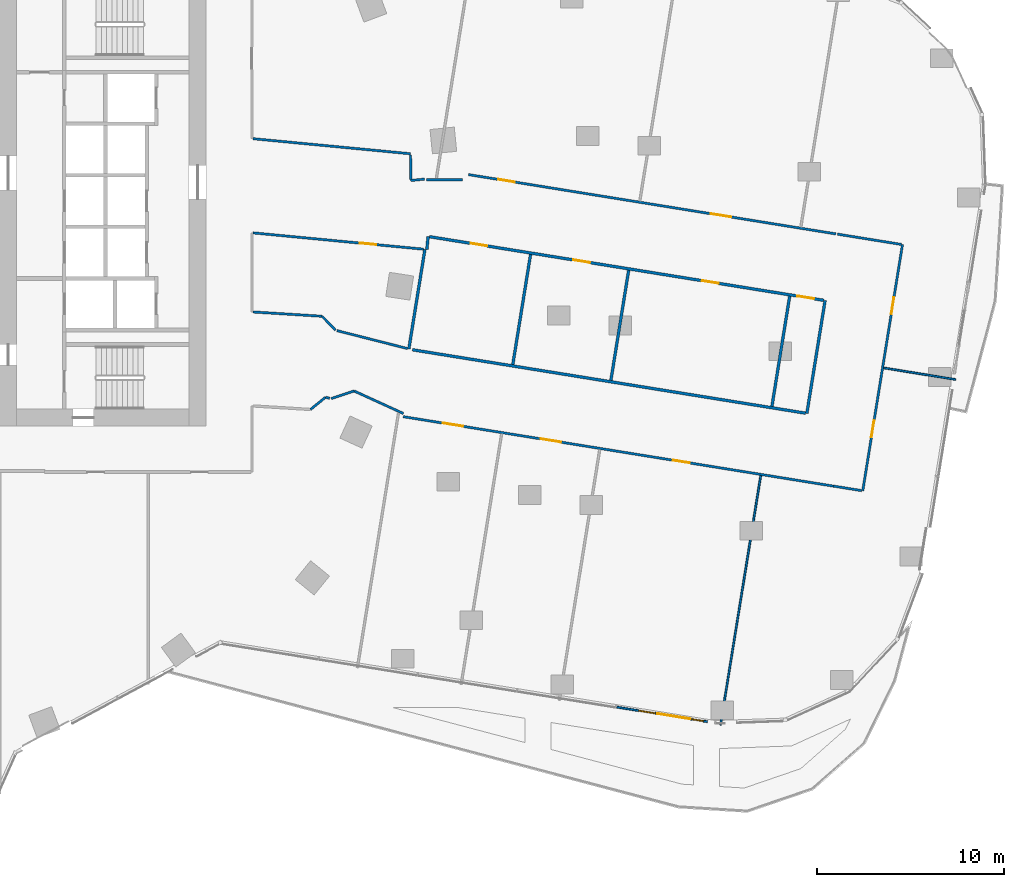
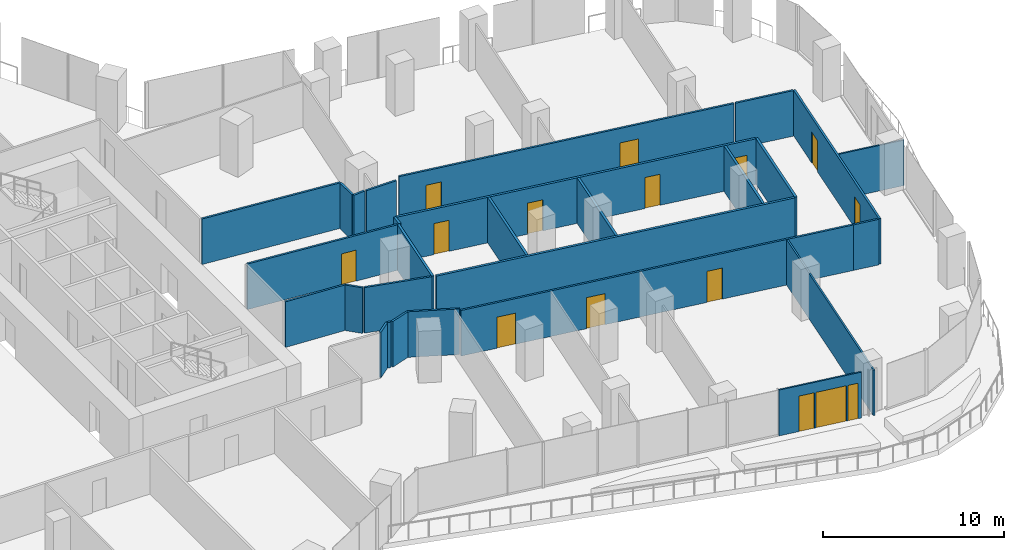
# One storey, part 25 of 32: 28 walls, 13 doors, 2 windows, 15 openings.
"""IFC4 building model written with IfcOpenShell, lengths in metres."""

from ifc_helpers import new_model, si_unit, direction, frame, frame_2d, origin, place, context, subcontext, project, spatial, rectangle, extrude, material, layer, layer_set, type_object, element, fill, save


model = new_model("IFC4")

# Units and contexts
model_context = context("Model", 3, precision=1e-05, world=origin(), true_north=direction((0.0, 1.0)))
body_context = subcontext(model_context, "Body", "Model", "MODEL_VIEW")
ifc_project = project(units=[si_unit("LENGTHUNIT", "METRE"), si_unit("AREAUNIT", "SQUARE_METRE"), si_unit("VOLUMEUNIT", "CUBIC_METRE"), si_unit("PLANEANGLEUNIT", "RADIAN"), si_unit("MASSUNIT", "GRAM", prefix="KILO")], contexts=[model_context])

# Site, building, storey
site_placement = place(None, origin())
site = spatial("IfcSite", under=ifc_project, at=site_placement, CompositionType="ELEMENT")
building_placement = place(site_placement, origin())
building = spatial("IfcBuilding", under=site, at=building_placement, Name="Orlundy Tower", CompositionType="ELEMENT")
storey_placement = place(building_placement, frame((0.0, 0.0, 123.699951171875)))
storey = spatial("IfcBuildingStorey", under=building, at=storey_placement, Name="L31", CompositionType="ELEMENT", Elevation=123.699951171875)

# Walls
ifc_material_1 = material(Name="Gypsum board partition")
ifc_layer_1 = layer(ifc_material_1, 0.10009765625)
ifc_layer_set_1 = layer_set([ifc_layer_1], Name="Floor partition 100")
wall_type_1 = type_object("IfcWallType", Name="Floor partition 100", PredefinedType="PARTITIONING", material=ifc_layer_set_1)
wall_1_placement = place(storey_placement, frame((55.14892578125, -8.89990234375, 0.0), z_axis=(0.0, 0.0, 1.0), x_axis=(0.987198096363, -0.159498960929, 0.0)))
element("IfcWall", 1, at=wall_1_placement, inside=storey, type_object=wall_type_1, Name="wall-int-L31-024", PredefinedType="PARTITIONING", context=body_context, shape_type="SweptSolid", body=[
    extrude(rectangle(XDim=3.887939453125, YDim=0.10009765625, at=frame_2d((1.94384765625, 0.0))), origin(), (0.0, 0.0, 1.0), 3.080078125),
])
wall_2_placement = place(storey_placement, frame((46.43994140625, -27.950927734375, 0.0), z_axis=(0.0, 0.0, 1.0), x_axis=(0.159319546861, 0.987227067086, 0.0)))
element("IfcWall", 2, at=wall_2_placement, inside=storey, type_object=wall_type_1, Name="wall-int-L31-068", PredefinedType="PARTITIONING", context=body_context, shape_type="SweptSolid", body=[
    extrude(rectangle(XDim=13.48193359375, YDim=0.10009765625, at=frame_2d((6.740966796875, 0.0))), origin(), (0.0, 0.0, 1.0), 3.080078125),
])
ifc_material_2 = material(Name="Gypsum board partition, double layer")
ifc_layer_2 = layer(ifc_material_2, 0.125)
ifc_layer_set_2 = layer_set([ifc_layer_2], Name="Floor partition 125")
wall_type_2 = type_object("IfcWallType", Name="Floor partition 125", PredefinedType="PARTITIONING", material=ifc_layer_set_2)
wall_3_placement = place(storey_placement, frame((29.9169921875, 1.157958984375, 0.0), z_axis=(0.0, 0.0, 1.0), x_axis=(-0.006187768279, 0.999980855579, 0.0)))
element("IfcWall", 3, at=wall_3_placement, inside=storey, type_object=wall_type_2, Name="wall-int-L31-004", PredefinedType="PARTITIONING", context=body_context, shape_type="SweptSolid", body=[
    extrude(rectangle(XDim=1.302001953125, YDim=0.125, at=frame_2d((0.65087890625, 0.0))), origin(), (0.0, 0.0, 1.0), 3.080078125),
])
wall_4_placement = place(storey_placement, frame((29.527099609375, -11.3310546875, 0.0), z_axis=(0.0, 0.0, 1.0), x_axis=(-0.909663775555, 0.415345417024, 0.0)))
element("IfcWall", 4, at=wall_4_placement, inside=storey, type_object=wall_type_2, Name="wall-int-L31-007", PredefinedType="PARTITIONING", context=body_context, shape_type="SweptSolid", body=[
    extrude(rectangle(XDim=2.896728515625, YDim=0.125, at=frame_2d((1.4482421875, 0.0))), origin(), (0.0, 0.0, 1.0), 3.080078125),
])
wall_5_placement = place(storey_placement, frame((29.7451171875, -7.866943359375, 0.0), z_axis=(0.0, 0.0, 1.0), x_axis=(-0.969150714626, 0.24646884659, 0.0)))
element("IfcWall", 5, at=wall_5_placement, inside=storey, type_object=wall_type_2, Name="wall-int-L31-020", PredefinedType="PARTITIONING", context=body_context, shape_type="SweptSolid", body=[
    extrude(rectangle(XDim=3.883056640625, YDim=0.125, at=frame_2d((1.94140625, 0.0))), origin(), (0.0, 0.0, 1.0), 3.080078125),
])
wall_6_placement = place(storey_placement, frame((25.3740234375, -10.466064453125, 0.0), z_axis=(0.0, 0.0, 1.0), x_axis=(0.972897607094, -0.23123634254, 0.0)))
element("IfcWall", 6, at=wall_6_placement, inside=storey, type_object=wall_type_2, Name="wall-int-L31-021", PredefinedType="PARTITIONING", context=body_context, shape_type="SweptSolid", body=[
    extrude(rectangle(XDim=0.22900390625, YDim=0.125, at=frame_2d((0.114501953125, 0.0))), origin(), (0.0, 0.0, 1.0), 3.080078125),
])

# Wall, openings, doors
wall_7_placement = place(storey_placement, frame((52.45703125, -15.2041015625, 0.0), z_axis=(0.0, 0.0, 1.0), x_axis=(-0.987211158264, 0.159418094953, 0.0)))
wall_7 = element("IfcWall", 7, at=wall_7_placement, inside=storey, type_object=wall_type_2, Name="wall-int-L31-022", PredefinedType="PARTITIONING", context=body_context, shape_type="SweptSolid", body=[
    extrude(rectangle(XDim=23.235107421875, YDim=0.125, at=frame_2d((11.61767578125, 0.0))), origin(), (0.0, 0.0, 1.0), 3.080078125),
])
opening_1_placement = place(wall_7_placement, frame((20.008544921875, 0.0, 0.0)))
opening_1 = element("IfcOpeningElement", 8, at=opening_1_placement, cuts=wall_7, Name="Opening 24108", PredefinedType="OPENING", context=body_context, shape_type="SweptSolid", body=[
    extrude(rectangle(XDim=1.10009765625, YDim=2.10009765625, at=frame_2d((0.550048828125, 1.050048828125))), frame((0.0, 0.072509765625, 0.0), z_axis=(0.0, -1.0, 0.0), x_axis=(1.0, 0.0, 0.0)), (0.0, 0.0, 1.0), 0.14501953125),
])
opening_2_placement = place(wall_7_placement, frame((14.708984375, 0.0, 0.0)))
opening_2 = element("IfcOpeningElement", 9, at=opening_2_placement, cuts=wall_7, Name="Opening 24109", PredefinedType="OPENING", context=body_context, shape_type="SweptSolid", body=[
    extrude(rectangle(XDim=1.10009765625, YDim=2.10009765625, at=frame_2d((0.550048828125, 1.050048828125))), frame((0.0, 0.072509765625, 0.0), z_axis=(0.0, -1.0, 0.0), x_axis=(1.0, 0.0, 0.0)), (0.0, 0.0, 1.0), 0.14501953125),
])
opening_3_placement = place(wall_7_placement, frame((7.7587890625, 0.0, 0.0)))
opening_3 = element("IfcOpeningElement", 10, at=opening_3_placement, cuts=wall_7, Name="Opening 24110", PredefinedType="OPENING", context=body_context, shape_type="SweptSolid", body=[
    extrude(rectangle(XDim=0.89990234375, YDim=2.10009765625, at=frame_2d((0.449951171875, 1.050048828125))), frame((0.0, 0.072509765625, 0.0), z_axis=(0.0, -1.0, 0.0), x_axis=(1.0, 0.0, 0.0)), (0.0, 0.0, 1.0), 0.14501953125),
])
ifc_material_3 = material(Name="Timber door leaf", Category="wood")
door_type_1 = type_object("IfcDoorType", Name="Floor door single 900 FD30S", OperationType="NOTDEFINED", PredefinedType="DOOR", material=ifc_material_3)
door_1_placement = place(opening_3_placement, origin())
door_1 = element("IfcDoor", 11, at=door_1_placement, inside=storey, type_object=door_type_1, Name="Door 24110", OperationType="SINGLE_SWING_LEFT", OverallHeight=2.10009765625, OverallWidth=0.89990234375, PredefinedType="DOOR", context=body_context, shape_type="SweptSolid", body=[
    extrude(rectangle(XDim=0.89990234375, YDim=2.10009765625, at=frame_2d((0.449951171875, 1.050048828125))), frame((0.0, 0.02490234375, 0.0), z_axis=(0.0, -1.0, 0.0), x_axis=(1.0, 0.0, 0.0)), (0.0, 0.0, 1.0), 0.050048828125),
])
fill(opening_3, door_1)
ifc_material_4 = material(Name="Timber door leaf", Category="wood")
door_type_2 = type_object("IfcDoorType", Name="Floor door xwide 1100 FD30S", OperationType="NOTDEFINED", PredefinedType="DOOR", material=ifc_material_4)
door_2_placement = place(opening_1_placement, origin())
door_2 = element("IfcDoor", 12, at=door_2_placement, inside=storey, type_object=door_type_2, Name="Door 24108", OperationType="SINGLE_SWING_RIGHT", OverallHeight=2.10009765625, OverallWidth=1.10009765625, PredefinedType="DOOR", context=body_context, shape_type="SweptSolid", body=[
    extrude(rectangle(XDim=1.10009765625, YDim=2.10009765625, at=frame_2d((0.550048828125, 1.050048828125))), frame((0.0, 0.02490234375, 0.0), z_axis=(0.0, -1.0, 0.0), x_axis=(1.0, 0.0, 0.0)), (0.0, 0.0, 1.0), 0.050048828125),
])
fill(opening_1, door_2)
door_3_placement = place(opening_2_placement, origin())
door_3 = element("IfcDoor", 13, at=door_3_placement, inside=storey, type_object=door_type_2, Name="Door 24109", OperationType="SINGLE_SWING_RIGHT", OverallHeight=2.10009765625, OverallWidth=1.10009765625, PredefinedType="DOOR", context=body_context, shape_type="SweptSolid", body=[
    extrude(rectangle(XDim=1.10009765625, YDim=2.10009765625, at=frame_2d((0.550048828125, 1.050048828125))), frame((0.0, 0.02490234375, 0.0), z_axis=(0.0, -1.0, 0.0), x_axis=(1.0, 0.0, 0.0)), (0.0, 0.0, 1.0), 0.050048828125),
])
fill(opening_2, door_3)

wall_8_placement = place(storey_placement, frame((33.0, 1.410888671875, 0.0), z_axis=(0.0, 0.0, 1.0), x_axis=(0.987218652985, -0.159371676275, 0.0)))
wall_8 = element("IfcWall", 14, at=wall_8_placement, inside=storey, type_object=wall_type_2, Name="wall-int-L31-026", PredefinedType="PARTITIONING", context=body_context, shape_type="SweptSolid", body=[
    extrude(rectangle(XDim=19.845703125, YDim=0.125, at=frame_2d((9.9228515625, 0.0))), origin(), (0.0, 0.0, 1.0), 3.080078125),
])
opening_4_placement = place(wall_8_placement, frame((1.60009765625, 0.0, 0.0)))
opening_4 = element("IfcOpeningElement", 15, at=opening_4_placement, cuts=wall_8, Name="Opening 24102", PredefinedType="OPENING", context=body_context, shape_type="SweptSolid", body=[
    extrude(rectangle(XDim=0.89990234375, YDim=2.10009765625, at=frame_2d((0.449951171875, 1.050048828125))), frame((0.0, 0.072509765625, 0.0), z_axis=(0.0, -1.0, 0.0), x_axis=(1.0, 0.0, 0.0)), (0.0, 0.0, 1.0), 0.14501953125),
])
opening_5_placement = place(wall_8_placement, frame((13.09619140625, 0.0, 0.0)))
opening_5 = element("IfcOpeningElement", 16, at=opening_5_placement, cuts=wall_8, Name="Opening 24103", PredefinedType="OPENING", context=body_context, shape_type="SweptSolid", body=[
    extrude(rectangle(XDim=1.10009765625, YDim=2.10009765625, at=frame_2d((0.550048828125, 1.050048828125))), frame((0.0, 0.072509765625, 0.0), z_axis=(0.0, -1.0, 0.0), x_axis=(1.0, 0.0, 0.0)), (0.0, 0.0, 1.0), 0.14501953125),
])
door_4_placement = place(opening_4_placement, origin())
door_4 = element("IfcDoor", 17, at=door_4_placement, inside=storey, type_object=door_type_1, Name="Door 24102", OperationType="SINGLE_SWING_LEFT", OverallHeight=2.10009765625, OverallWidth=0.89990234375, PredefinedType="DOOR", context=body_context, shape_type="SweptSolid", body=[
    extrude(rectangle(XDim=0.89990234375, YDim=2.10009765625, at=frame_2d((0.449951171875, 1.050048828125))), frame((0.0, 0.02490234375, 0.0), z_axis=(0.0, -1.0, 0.0), x_axis=(1.0, 0.0, 0.0)), (0.0, 0.0, 1.0), 0.050048828125),
])
fill(opening_4, door_4)
door_5_placement = place(opening_5_placement, origin())
door_5 = element("IfcDoor", 18, at=door_5_placement, inside=storey, type_object=door_type_2, Name="Door 24103", OperationType="SINGLE_SWING_RIGHT", OverallHeight=2.10009765625, OverallWidth=1.10009765625, PredefinedType="DOOR", context=body_context, shape_type="SweptSolid", body=[
    extrude(rectangle(XDim=1.10009765625, YDim=2.10009765625, at=frame_2d((0.550048828125, 1.050048828125))), frame((0.0, 0.02490234375, 0.0), z_axis=(0.0, -1.0, 0.0), x_axis=(1.0, 0.0, 0.0)), (0.0, 0.0, 1.0), 0.050048828125),
])
fill(opening_5, door_5)

# Walls
wall_9_placement = place(storey_placement, frame((52.68505859375, -1.764892578125, 0.0), z_axis=(0.0, 0.0, 1.0), x_axis=(0.987209106982, -0.159430797185, 0.0)))
element("IfcWall", 19, at=wall_9_placement, inside=storey, type_object=wall_type_2, Name="wall-int-L31-027", PredefinedType="PARTITIONING", context=body_context, shape_type="SweptSolid", body=[
    extrude(rectangle(XDim=3.44384765625, YDim=0.125, at=frame_2d((1.721923828125, 0.0))), origin(), (0.0, 0.0, 1.0), 3.080078125),
])
wall_10_placement = place(storey_placement, frame((52.45703125, -15.201904296875, 0.0), z_axis=(0.0, 0.0, 1.0), x_axis=(0.987264599046, -0.159086804829, 0.0)))
element("IfcWall", 20, at=wall_10_placement, inside=storey, type_object=wall_type_2, Name="wall-int-L31-028", PredefinedType="PARTITIONING", context=body_context, shape_type="SweptSolid", body=[
    extrude(rectangle(XDim=1.528564453125, YDim=0.125, at=frame_2d((0.76416015625, 0.0))), origin(), (0.0, 0.0, 1.0), 3.080078125),
])

# Wall, opening, door
wall_11_placement = place(storey_placement, frame((30.60009765625, -2.56689453125, 0.0), z_axis=(0.0, 0.0, 1.0), x_axis=(-0.995450531819, 0.095279791669, 0.0)))
wall_11 = element("IfcWall", 21, at=wall_11_placement, inside=storey, type_object=wall_type_2, Name="wall-int-L31-029", PredefinedType="PARTITIONING", context=body_context, shape_type="SweptSolid", body=[
    extrude(rectangle(XDim=9.129638671875, YDim=0.125, at=frame_2d((4.56494140625, 0.0))), origin(), (0.0, 0.0, 1.0), 3.080078125),
])
opening_6_placement = place(wall_11_placement, frame((2.52490234375, 0.0, 0.0)))
opening_6 = element("IfcOpeningElement", 22, at=opening_6_placement, cuts=wall_11, Name="Opening 24128", PredefinedType="OPENING", context=body_context, shape_type="SweptSolid", body=[
    extrude(rectangle(XDim=0.89990234375, YDim=2.10009765625, at=frame_2d((0.449951171875, 1.050048828125))), frame((0.0, 0.072509765625, 0.0), z_axis=(0.0, -1.0, 0.0), x_axis=(1.0, 0.0, 0.0)), (0.0, 0.0, 1.0), 0.14501953125),
])
door_6_placement = place(opening_6_placement, origin())
door_6 = element("IfcDoor", 23, at=door_6_placement, inside=storey, type_object=door_type_1, Name="Door 24128", OperationType="SINGLE_SWING_LEFT", OverallHeight=2.10009765625, OverallWidth=0.89990234375, PredefinedType="DOOR", context=body_context, shape_type="SweptSolid", body=[
    extrude(rectangle(XDim=0.89990234375, YDim=2.10009765625, at=frame_2d((0.449951171875, 1.050048828125))), frame((0.0, 0.02490234375, 0.0), z_axis=(0.0, -1.0, 0.0), x_axis=(1.0, 0.0, 0.0)), (0.0, 0.0, 1.0), 0.050048828125),
])
fill(opening_6, door_6)

# Walls
wall_12_placement = place(storey_placement, frame((21.511962890625, 3.325927734375, 0.0), z_axis=(0.0, 0.0, 1.0), x_axis=(0.995447869082, -0.095307606934, 0.0)))
element("IfcWall", 24, at=wall_12_placement, inside=storey, type_object=wall_type_2, Name="wall-int-L31-030", PredefinedType="PARTITIONING", context=body_context, shape_type="SweptSolid", body=[
    extrude(rectangle(XDim=8.435302734375, YDim=0.125, at=frame_2d((4.2177734375, 0.0))), origin(), (0.0, 0.0, 1.0), 3.080078125),
])
wall_13_placement = place(storey_placement, frame((21.511962890625, -5.916015625, 0.0), z_axis=(0.0, 0.0, 1.0), x_axis=(0.998068267511, -0.0621267526, 0.0)))
element("IfcWall", 25, at=wall_13_placement, inside=storey, type_object=wall_type_2, Name="wall-int-L31-032", PredefinedType="PARTITIONING", context=body_context, shape_type="SweptSolid", body=[
    extrude(rectangle(XDim=3.68603515625, YDim=0.125, at=frame_2d((1.843017578125, 0.0))), origin(), (0.0, 0.0, 1.0), 3.080078125),
])
wall_14_placement = place(storey_placement, frame((30.748046875, 1.14404296875, 0.0), z_axis=(0.0, 0.0, 1.0), x_axis=(1.0, 0.0, 0.0)))
element("IfcWall", 26, at=wall_14_placement, inside=storey, type_object=wall_type_2, Name="wall-int-L31-042", PredefinedType="PARTITIONING", context=body_context, shape_type="SweptSolid", body=[
    extrude(rectangle(XDim=1.9189453125, YDim=0.125, at=frame_2d((0.95947265625, 0.0))), origin(), (0.0, 0.0, 1.0), 3.080078125),
])
wall_15_placement = place(storey_placement, frame((29.9169921875, 1.095947265625, 0.0), z_axis=(0.0, 0.0, 1.0), x_axis=(0.994811579601, 0.101734561938, 0.0)))
element("IfcWall", 27, at=wall_15_placement, inside=storey, type_object=wall_type_2, Name="wall-int-L31-051", PredefinedType="PARTITIONING", context=body_context, shape_type="SweptSolid", body=[
    extrude(rectangle(XDim=0.73681640625, YDim=0.125, at=frame_2d((0.368408203125, 0.0))), origin(), (0.0, 0.0, 1.0), 3.080078125),
])
wall_16_placement = place(storey_placement, frame((25.672119140625, -10.535888671875, 0.0), z_axis=(0.0, 0.0, 1.0), x_axis=(0.948379197111, 0.317138610841, 0.0)))
element("IfcWall", 28, at=wall_16_placement, inside=storey, type_object=wall_type_2, Name="wall-int-L31-053", PredefinedType="PARTITIONING", context=body_context, shape_type="SweptSolid", body=[
    extrude(rectangle(XDim=1.286376953125, YDim=0.125, at=frame_2d((0.64306640625, 0.0))), origin(), (0.0, 0.0, 1.0), 3.080078125),
])

# Wall, openings, doors
wall_17_placement = place(storey_placement, frame((56.14697265625, -2.31689453125, 0.0), z_axis=(0.0, 0.0, 1.0), x_axis=(-0.159220326338, -0.987243074263, 0.0)))
wall_17 = element("IfcWall", 29, at=wall_17_placement, inside=storey, type_object=wall_type_2, Name="wall-int-L31-066", PredefinedType="PARTITIONING", context=body_context, shape_type="SweptSolid", body=[
    extrude(rectangle(XDim=13.307861328125, YDim=0.125, at=frame_2d((6.65380859375, 0.0))), origin(), (0.0, 0.0, 1.0), 3.080078125),
])
opening_7_placement = place(wall_17_placement, frame((9.508056640625, 0.0, 0.0)))
opening_7 = element("IfcOpeningElement", 30, at=opening_7_placement, cuts=wall_17, Name="Opening 24106", PredefinedType="OPENING", context=body_context, shape_type="SweptSolid", body=[
    extrude(rectangle(XDim=0.89990234375, YDim=2.10009765625, at=frame_2d((0.449951171875, 1.050048828125))), frame((0.0, 0.072509765625, 0.0), z_axis=(0.0, -1.0, 0.0), x_axis=(1.0, 0.0, 0.0)), (0.0, 0.0, 1.0), 0.14501953125),
])
opening_8_placement = place(wall_17_placement, frame((2.85693359375, 0.0, 0.0)))
opening_8 = element("IfcOpeningElement", 31, at=opening_8_placement, cuts=wall_17, Name="Opening 24107", PredefinedType="OPENING", context=body_context, shape_type="SweptSolid", body=[
    extrude(rectangle(XDim=0.89990234375, YDim=2.10009765625, at=frame_2d((0.449951171875, 1.050048828125))), frame((0.0, 0.072509765625, 0.0), z_axis=(0.0, -1.0, 0.0), x_axis=(1.0, 0.0, 0.0)), (0.0, 0.0, 1.0), 0.14501953125),
])
door_7_placement = place(opening_7_placement, origin())
door_7 = element("IfcDoor", 32, at=door_7_placement, inside=storey, type_object=door_type_1, Name="Door 24106", OperationType="SINGLE_SWING_RIGHT", OverallHeight=2.10009765625, OverallWidth=0.89990234375, PredefinedType="DOOR", context=body_context, shape_type="SweptSolid", body=[
    extrude(rectangle(XDim=0.89990234375, YDim=2.10009765625, at=frame_2d((0.449951171875, 1.050048828125))), frame((0.0, 0.02490234375, 0.0), z_axis=(0.0, -1.0, 0.0), x_axis=(1.0, 0.0, 0.0)), (0.0, 0.0, 1.0), 0.050048828125),
])
fill(opening_7, door_7)
door_8_placement = place(opening_8_placement, origin())
door_8 = element("IfcDoor", 33, at=door_8_placement, inside=storey, type_object=door_type_1, Name="Door 24107", OperationType="SINGLE_SWING_LEFT", OverallHeight=2.10009765625, OverallWidth=0.89990234375, PredefinedType="DOOR", context=body_context, shape_type="SweptSolid", body=[
    extrude(rectangle(XDim=0.89990234375, YDim=2.10009765625, at=frame_2d((0.449951171875, 1.050048828125))), frame((0.0, 0.02490234375, 0.0), z_axis=(0.0, -1.0, 0.0), x_axis=(1.0, 0.0, 0.0)), (0.0, 0.0, 1.0), 0.050048828125),
])
fill(opening_8, door_8)

# Walls
wall_18_placement = place(storey_placement, frame((25.908935546875, -6.89111328125, 0.0), z_axis=(0.0, 0.0, 1.0), x_axis=(-0.693419637935, 0.720533972638, 0.0)))
element("IfcWall", 34, at=wall_18_placement, inside=storey, type_object=wall_type_2, Name="wall-int-L31-080", PredefinedType="PARTITIONING", context=body_context, shape_type="SweptSolid", body=[
    extrude(rectangle(XDim=1.035400390625, YDim=0.125, at=frame_2d((0.517578125, 0.0))), origin(), (0.0, 0.0, 1.0), 3.080078125),
])
wall_19_placement = place(storey_placement, frame((24.571044921875, -11.116943359375, 0.0), z_axis=(0.0, 0.0, 1.0), x_axis=(0.776843182064, 0.62969410866, 0.0)))
element("IfcWall", 35, at=wall_19_placement, inside=storey, type_object=wall_type_2, Name="wall-int-L31-081", PredefinedType="PARTITIONING", context=body_context, shape_type="SweptSolid", body=[
    extrude(rectangle(XDim=1.03369140625, YDim=0.125, at=frame_2d((0.516845703125, 0.0))), origin(), (0.0, 0.0, 1.0), 3.080078125),
])
ifc_material_5 = material(Name="Blockwork shaft wall", Category="masonry")
ifc_layer_3 = layer(ifc_material_5, 0.14990234375)
ifc_layer_set_3 = layer_set([ifc_layer_3], Name="Floor shaft wall 150")
wall_type_3 = type_object("IfcWallType", Name="Floor shaft wall 150", PredefinedType="PARTITIONING", material=ifc_layer_set_3)
wall_20_placement = place(storey_placement, frame((30.0048828125, -7.930908203125, 0.0), z_axis=(0.0, 0.0, 1.0), x_axis=(0.987232842174, -0.15928375728, 0.0)))
element("IfcWall", 36, at=wall_20_placement, inside=storey, type_object=wall_type_3, Name="wall-int-L31-023", PredefinedType="PARTITIONING", context=body_context, shape_type="SweptSolid", body=[
    extrude(rectangle(XDim=21.2392578125, YDim=0.14990234375, at=frame_2d((10.61962890625, 0.0))), origin(), (0.0, 0.0, 1.0), 3.080078125),
])

# Wall, openings, doors
wall_21_placement = place(storey_placement, frame((51.945068359375, -5.2939453125, 0.0), z_axis=(0.0, 0.0, 1.0), x_axis=(-0.98722094224, 0.159357494967, 0.0)))
wall_21 = element("IfcWall", 37, at=wall_21_placement, inside=storey, type_object=wall_type_3, Name="wall-int-L31-025", PredefinedType="PARTITIONING", context=body_context, shape_type="SweptSolid", body=[
    extrude(rectangle(XDim=21.29833984375, YDim=0.14990234375, at=frame_2d((10.649169921875, 0.0))), origin(), (0.0, 0.0, 1.0), 3.080078125),
])
opening_9_placement = place(wall_21_placement, frame((12.6240234375, 0.0, 0.0)))
opening_9 = element("IfcOpeningElement", 38, at=opening_9_placement, cuts=wall_21, Name="Opening 24100", PredefinedType="OPENING", context=body_context, shape_type="SweptSolid", body=[
    extrude(rectangle(XDim=0.89990234375, YDim=2.10009765625, at=frame_2d((0.449951171875, 1.050048828125))), frame((0.0, 0.0849609375, 0.0), z_axis=(0.0, -1.0, 0.0), x_axis=(1.0, 0.0, 0.0)), (0.0, 0.0, 1.0), 0.169921875),
])
opening_10_placement = place(wall_21_placement, frame((0.524658203125, 0.0, 0.0)))
opening_10 = element("IfcOpeningElement", 39, at=opening_10_placement, cuts=wall_21, Name="Opening 24101", PredefinedType="OPENING", context=body_context, shape_type="SweptSolid", body=[
    extrude(rectangle(XDim=0.89990234375, YDim=2.10009765625, at=frame_2d((0.449951171875, 1.050048828125))), frame((0.0, 0.0849609375, 0.0), z_axis=(0.0, -1.0, 0.0), x_axis=(1.0, 0.0, 0.0)), (0.0, 0.0, 1.0), 0.169921875),
])
opening_11_placement = place(wall_21_placement, frame((18.1748046875, 0.0, 0.0)))
opening_11 = element("IfcOpeningElement", 40, at=opening_11_placement, cuts=wall_21, Name="Opening 24104", PredefinedType="OPENING", context=body_context, shape_type="SweptSolid", body=[
    extrude(rectangle(XDim=0.89990234375, YDim=2.10009765625, at=frame_2d((0.449951171875, 1.050048828125))), frame((0.0, 0.0849609375, 0.0), z_axis=(0.0, -1.0, 0.0), x_axis=(1.0, 0.0, 0.0)), (0.0, 0.0, 1.0), 0.169921875),
])
opening_12_placement = place(wall_21_placement, frame((5.675048828125, 0.0, 0.0)))
opening_12 = element("IfcOpeningElement", 41, at=opening_12_placement, cuts=wall_21, Name="Opening 24105", PredefinedType="OPENING", context=body_context, shape_type="SweptSolid", body=[
    extrude(rectangle(XDim=0.89990234375, YDim=2.10009765625, at=frame_2d((0.449951171875, 1.050048828125))), frame((0.0, 0.0849609375, 0.0), z_axis=(0.0, -1.0, 0.0), x_axis=(1.0, 0.0, 0.0)), (0.0, 0.0, 1.0), 0.169921875),
])
ifc_material_6 = material(Name="Timber door leaf", Category="wood")
door_type_3 = type_object("IfcDoorType", Name="Floor door single 900 FD60", OperationType="NOTDEFINED", PredefinedType="DOOR", material=ifc_material_6)
door_9_placement = place(opening_9_placement, origin())
door_9 = element("IfcDoor", 42, at=door_9_placement, inside=storey, type_object=door_type_3, Name="Door 24100", OperationType="SINGLE_SWING_RIGHT", OverallHeight=2.10009765625, OverallWidth=0.89990234375, PredefinedType="DOOR", context=body_context, shape_type="SweptSolid", body=[
    extrude(rectangle(XDim=0.89990234375, YDim=2.10009765625, at=frame_2d((0.449951171875, 1.050048828125))), frame((0.0, 0.02490234375, 0.0), z_axis=(0.0, -1.0, 0.0), x_axis=(1.0, 0.0, 0.0)), (0.0, 0.0, 1.0), 0.050048828125),
])
fill(opening_9, door_9)
door_10_placement = place(opening_10_placement, origin())
door_10 = element("IfcDoor", 43, at=door_10_placement, inside=storey, type_object=door_type_3, Name="Door 24101", OperationType="SINGLE_SWING_LEFT", OverallHeight=2.10009765625, OverallWidth=0.89990234375, PredefinedType="DOOR", context=body_context, shape_type="SweptSolid", body=[
    extrude(rectangle(XDim=0.89990234375, YDim=2.10009765625, at=frame_2d((0.449951171875, 1.050048828125))), frame((0.0, 0.02490234375, 0.0), z_axis=(0.0, -1.0, 0.0), x_axis=(1.0, 0.0, 0.0)), (0.0, 0.0, 1.0), 0.050048828125),
])
fill(opening_10, door_10)
door_11_placement = place(opening_11_placement, origin())
door_11 = element("IfcDoor", 44, at=door_11_placement, inside=storey, type_object=door_type_3, Name="Door 24104", OperationType="SINGLE_SWING_RIGHT", OverallHeight=2.10009765625, OverallWidth=0.89990234375, PredefinedType="DOOR", context=body_context, shape_type="SweptSolid", body=[
    extrude(rectangle(XDim=0.89990234375, YDim=2.10009765625, at=frame_2d((0.449951171875, 1.050048828125))), frame((0.0, 0.02490234375, 0.0), z_axis=(0.0, -1.0, 0.0), x_axis=(1.0, 0.0, 0.0)), (0.0, 0.0, 1.0), 0.050048828125),
])
fill(opening_11, door_11)
door_12_placement = place(opening_12_placement, origin())
door_12 = element("IfcDoor", 45, at=door_12_placement, inside=storey, type_object=door_type_3, Name="Door 24105", OperationType="SINGLE_SWING_LEFT", OverallHeight=2.10009765625, OverallWidth=0.89990234375, PredefinedType="DOOR", context=body_context, shape_type="SweptSolid", body=[
    extrude(rectangle(XDim=0.89990234375, YDim=2.10009765625, at=frame_2d((0.449951171875, 1.050048828125))), frame((0.0, 0.02490234375, 0.0), z_axis=(0.0, -1.0, 0.0), x_axis=(1.0, 0.0, 0.0)), (0.0, 0.0, 1.0), 0.050048828125),
])
fill(opening_12, door_12)

# Walls
wall_22_placement = place(storey_placement, frame((51.047119140625, -11.325927734375, 0.0), z_axis=(0.0, 0.0, 1.0), x_axis=(0.159359551121, 0.987220610333, 0.0)))
element("IfcWall", 46, at=wall_22_placement, inside=storey, type_object=wall_type_3, Name="wall-int-L31-067", PredefinedType="PARTITIONING", context=body_context, shape_type="SweptSolid", body=[
    extrude(rectangle(XDim=6.098876953125, YDim=0.14990234375, at=frame_2d((3.04931640625, 0.0))), origin(), (0.0, 0.0, 1.0), 3.080078125),
])
for number, where, z_axis, x_axis, name in (
    (47, (49.18408203125, -10.948974609375, 0.0), (0.0, 0.0, 1.0), (0.159192439694, 0.987247571354, 0.0), "wall-int-L31-069"),
    (48, (40.594970703125, -9.56298828125, 0.0), (0.0, 0.0, 1.0), (0.159352431511, 0.987221759572, 0.0), "wall-int-L31-072"),
    (49, (35.363037109375, -8.718994140625, 0.0), (0.0, 0.0, 1.0), (0.159192439694, 0.987247571354, 0.0), "wall-int-L31-075"),
):
    element("IfcWall", number, at=place(storey_placement, frame(where, z_axis=z_axis, x_axis=x_axis)), inside=storey, type_object=wall_type_3, Name=name, PredefinedType="PARTITIONING", context=body_context, shape_type="SweptSolid", body=[
        extrude(rectangle(XDim=5.948974609375, YDim=0.14990234375, at=frame_2d((2.974609375, 0.0))), origin(), (0.0, 0.0, 1.0), 3.080078125),
    ])
wall_23_placement = place(storey_placement, frame((29.818115234375, -7.885009765625, 0.0), z_axis=(0.0, 0.0, 1.0), x_axis=(0.159318061913, 0.987227306727, 0.0)))
element("IfcWall", 50, at=wall_23_placement, inside=storey, type_object=wall_type_3, Name="wall-int-L31-077", PredefinedType="PARTITIONING", context=body_context, shape_type="SweptSolid", body=[
    extrude(rectangle(XDim=5.378662109375, YDim=0.14990234375, at=frame_2d((2.689453125, 0.0))), origin(), (0.0, 0.0, 1.0), 3.080078125),
])
wall_24_placement = place(storey_placement, frame((30.778076171875, -2.5849609375, 0.0), z_axis=(0.0, 0.0, 1.0), x_axis=(0.095533028174, 0.995426260718, 0.0)))
element("IfcWall", 51, at=wall_24_placement, inside=storey, type_object=wall_type_3, Name="wall-int-L31-079", PredefinedType="PARTITIONING", context=body_context, shape_type="SweptSolid", body=[
    extrude(rectangle(XDim=0.7001953125, YDim=0.14990234375, at=frame_2d((0.35009765625, 0.0))), origin(), (0.0, 0.0, 1.0), 3.080078125),
])

# Wall, openings, windows, door
ifc_material_7 = material(Name="Aluminium bronze and tinted glass", Category="aluminium")
ifc_layer_4 = layer(ifc_material_7, 0.10009765625)
ifc_layer_set_4 = layer_set([ifc_layer_4], Name="Glazed door screen")
wall_type_4 = type_object("IfcWallType", Name="Glazed door screen", PredefinedType="STANDARD", material=ifc_layer_set_4)
wall_25_placement = place(storey_placement, frame((45.740478515625, -27.771484375, 0.0), z_axis=(0.0, 0.0, 1.0), x_axis=(-0.987233559184, 0.159279313223, 0.0)))
wall_25 = element("IfcWall", 52, at=wall_25_placement, inside=storey, type_object=wall_type_4, Name="Glazed door screen", PredefinedType="STANDARD", context=body_context, shape_type="SweptSolid", body=[
    extrude(rectangle(XDim=4.91259765625, YDim=0.10009765625, at=frame_2d((2.456298828125, 0.0))), origin(), (0.0, 0.0, 1.0), 3.10009765625),
])
opening_13_placement = place(wall_25_placement, frame((0.9130859375, 0.0, 0.0)))
opening_13 = element("IfcOpeningElement", 53, at=opening_13_placement, cuts=wall_25, Name="Opening 24942", PredefinedType="OPENING", context=body_context, shape_type="SweptSolid", body=[
    extrude(rectangle(XDim=1.800048828125, YDim=2.39990234375, at=frame_2d((0.89990234375, 1.199951171875))), frame((0.0, 0.06005859375, 0.0), z_axis=(0.0, -1.0, 0.0), x_axis=(1.0, 0.0, 0.0)), (0.0, 0.0, 1.0), 0.1201171875),
])
opening_14_placement = place(wall_25_placement, frame((0.213134765625, 0.0, 0.0)))
opening_14 = element("IfcOpeningElement", 54, at=opening_14_placement, cuts=wall_25, Name="Opening W01", PredefinedType="OPENING", context=body_context, shape_type="SweptSolid", body=[
    extrude(rectangle(XDim=0.60009765625, YDim=2.39990234375, at=frame_2d((0.300048828125, 1.199951171875))), frame((0.0, 0.06005859375, 0.0), z_axis=(0.0, -1.0, 0.0), x_axis=(1.0, 0.0, 0.0)), (0.0, 0.0, 1.0), 0.1201171875),
])
opening_15_placement = place(wall_25_placement, frame((2.813232421875, 0.0, 0.0)))
opening_15 = element("IfcOpeningElement", 55, at=opening_15_placement, cuts=wall_25, Name="Opening W02", PredefinedType="OPENING", context=body_context, shape_type="SweptSolid", body=[
    extrude(rectangle(XDim=0.89990234375, YDim=2.39990234375, at=frame_2d((0.449951171875, 1.199951171875))), frame((0.0, 0.06005859375, 0.0), z_axis=(0.0, -1.0, 0.0), x_axis=(1.0, 0.0, 0.0)), (0.0, 0.0, 1.0), 0.1201171875),
])
ifc_material_8 = material(Name="Tinted glass in bronze aluminium frame", Category="aluminium")
window_type_1 = type_object("IfcWindowType", Name="SL1 sidelight 600x2400", PartitioningType="SINGLE_PANEL", PredefinedType="WINDOW", material=ifc_material_8)
window_1_placement = place(opening_14_placement, origin())
window_1 = element("IfcWindow", 56, at=window_1_placement, inside=storey, type_object=window_type_1, Name="Window W01 L31", OverallHeight=2.39990234375, OverallWidth=0.60009765625, PartitioningType="SINGLE_PANEL", PredefinedType="WINDOW", context=body_context, shape_type="SweptSolid", body=[
    extrude(rectangle(XDim=0.60009765625, YDim=2.39990234375, at=frame_2d((0.300048828125, 1.199951171875))), frame((0.0, 0.030029296875, 0.0), z_axis=(0.0, -1.0, 0.0), x_axis=(1.0, 0.0, 0.0)), (0.0, 0.0, 1.0), 0.06005859375),
])
fill(opening_14, window_1)
ifc_material_9 = material(Name="Tinted glass in bronze aluminium frame", Category="aluminium")
window_type_2 = type_object("IfcWindowType", Name="SL2 sidelight 900x2400", PartitioningType="SINGLE_PANEL", PredefinedType="WINDOW", material=ifc_material_9)
window_2_placement = place(opening_15_placement, origin())
window_2 = element("IfcWindow", 57, at=window_2_placement, inside=storey, type_object=window_type_2, Name="Window W02 L31", OverallHeight=2.39990234375, OverallWidth=0.89990234375, PartitioningType="SINGLE_PANEL", PredefinedType="WINDOW", context=body_context, shape_type="SweptSolid", body=[
    extrude(rectangle(XDim=0.89990234375, YDim=2.39990234375, at=frame_2d((0.449951171875, 1.199951171875))), frame((0.0, 0.030029296875, 0.0), z_axis=(0.0, -1.0, 0.0), x_axis=(1.0, 0.0, 0.0)), (0.0, 0.0, 1.0), 0.06005859375),
])
fill(opening_15, window_2)
ifc_material_10 = material(Name="Aluminium bronze and tinted glass", Category="aluminium")
door_type_4 = type_object("IfcDoorType", Name="TD1 terrace door 1800x2400", OperationType="NOTDEFINED", PredefinedType="DOOR", material=ifc_material_10)
door_13_placement = place(opening_13_placement, origin())
door_13 = element("IfcDoor", 58, at=door_13_placement, inside=storey, type_object=door_type_4, Name="Door 24942", OperationType="DOUBLE_DOOR_SINGLE_SWING", OverallHeight=2.39990234375, OverallWidth=1.800048828125, PredefinedType="DOOR", context=body_context, shape_type="SweptSolid", body=[
    extrude(rectangle(XDim=1.800048828125, YDim=2.39990234375, at=frame_2d((0.89990234375, 1.199951171875))), frame((0.0, 0.02490234375, 0.0), z_axis=(0.0, -1.0, 0.0), x_axis=(1.0, 0.0, 0.0)), (0.0, 0.0, 1.0), 0.050048828125),
])
fill(opening_13, door_13)

save(model, "model.ifc")
